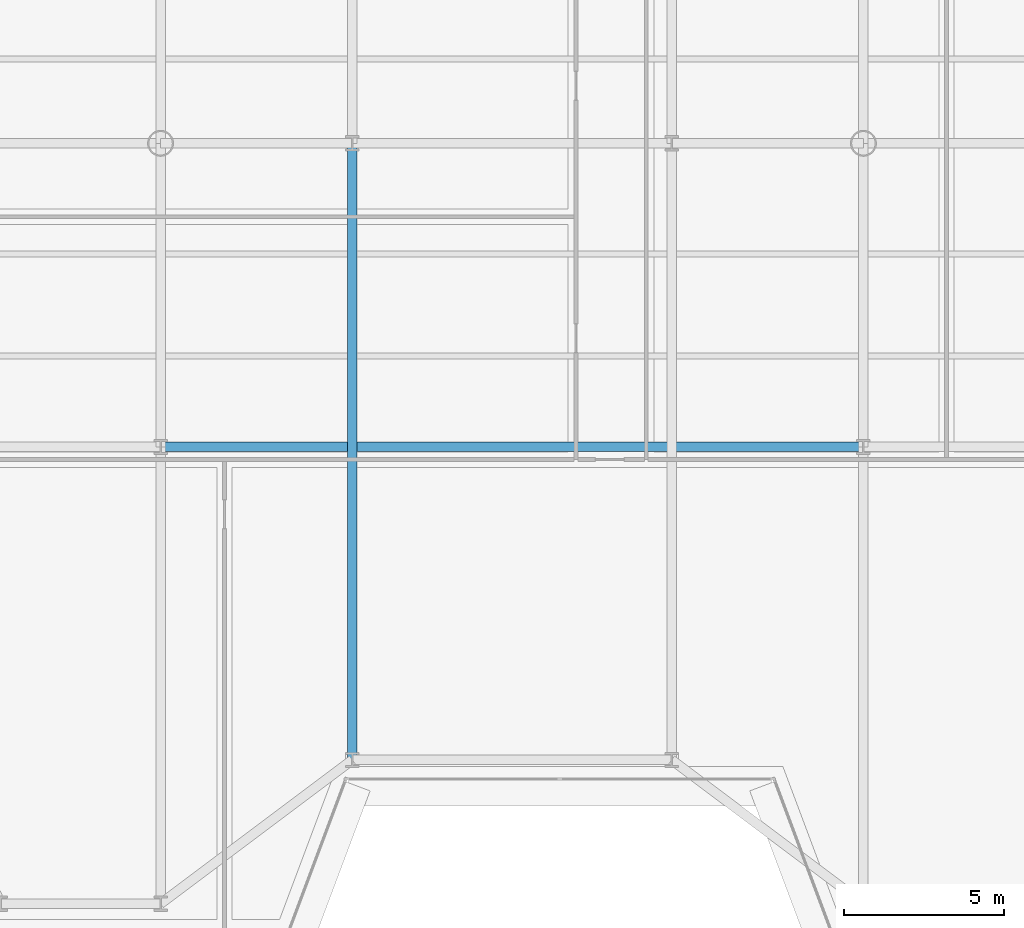
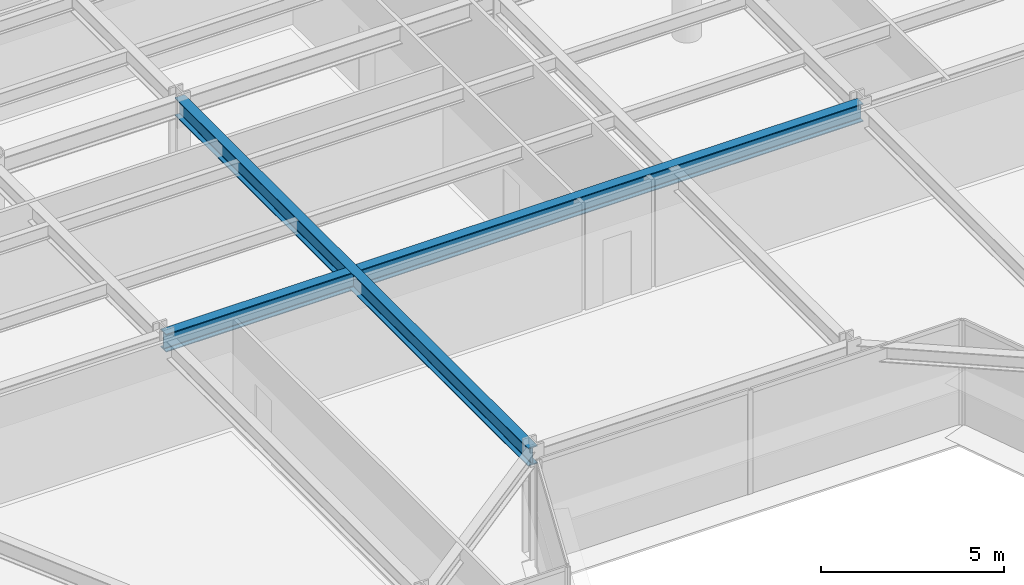
# One storey, part 3 of 17: 2 beams.
"""IFC4 building model written with IfcOpenShell, lengths in metres."""

from ifc_helpers import new_model, si_unit, direction, frame, origin, origin_2d, place, context, subcontext, project, spatial, i_section, extrude, source, transform, mapped, material, material_profile, profile_set, type_object, element, save


model = new_model("IFC4")

# Units and contexts
model_context = context("Model", 3, precision=1e-05, world=origin(), true_north=direction((0.0, 1.0)))
body_context = subcontext(model_context, "Body", "Model", "MODEL_VIEW")
ifc_project = project(units=[si_unit("LENGTHUNIT", "METRE"), si_unit("AREAUNIT", "SQUARE_METRE"), si_unit("VOLUMEUNIT", "CUBIC_METRE"), si_unit("PLANEANGLEUNIT", "RADIAN"), si_unit("MASSUNIT", "GRAM", prefix="KILO")], contexts=[model_context])

# Site, building, storey
site_placement = place(None, origin())
site = spatial("IfcSite", under=ifc_project, at=site_placement, CompositionType="ELEMENT")
building_placement = place(site_placement, origin())
building = spatial("IfcBuilding", under=site, at=building_placement, Name="Vaeldorn Concourse Tower", CompositionType="ELEMENT")
storey_placement = place(building_placement, frame((0.0, 0.0, 165.199951171875)))
storey = spatial("IfcBuildingStorey", under=building, at=storey_placement, Name="L42", CompositionType="ELEMENT", Elevation=165.199951171875)

# Beams
ifc_material = material(Name="Steel S355", Category="steel")
ifc_material_profile = material_profile(ifc_material, i_section(OverallWidth=0.300048828125, OverallDepth=0.60009765625, WebThickness=0.015380859375, FlangeThickness=0.030029296875, FilletRadius=0.027099609375, at=origin_2d()), Name="HEB 600")
ifc_profile_set = profile_set([ifc_material_profile], Name="Steel S355")
beam_type = type_object("IfcBeamType", Name="BM-PG-HEB600", PredefinedType="BEAM", material=ifc_profile_set)
shared_shape_1 = source(origin(), body_context, "Body", "SweptSolid", [
    extrude(i_section(OverallWidth=0.300048828125, OverallDepth=0.60009765625, WebThickness=0.015380859375, FlangeThickness=0.030029296875, FilletRadius=0.027099609375, at=origin_2d()), origin(), (0.0, 0.0, 1.0), 22.0),
])
beam_1_placement = place(storey_placement, frame((23.0, 18.0, 3.280029296875), z_axis=(1.0, 0.0, 0.0), x_axis=(0.0, 1.0, 0.0)))
element("IfcBeam", 1, at=beam_1_placement, inside=storey, type_object=beam_type, Name="Beam BM-L42-C-TW5-C-TW6", PredefinedType="BEAM", context=body_context, shape_type="MappedRepresentation", body=[
    mapped(shared_shape_1, transform((0.0, 0.0, 0.0), scale=1.0)),
])
shared_shape_2 = source(origin(), body_context, "Body", "SweptSolid", [
    extrude(i_section(OverallWidth=0.300048828125, OverallDepth=0.60009765625, WebThickness=0.015380859375, FlangeThickness=0.030029296875, FilletRadius=0.027099609375, at=origin_2d()), origin(), (0.0, 0.0, 1.0), 19.300048828125),
])
beam_2_placement = place(storey_placement, frame((29.0, 8.199951171875, 3.280029296875), z_axis=(0.0, 1.0, 0.0), x_axis=(-1.0, 0.0, 0.0)))
element("IfcBeam", 2, at=beam_2_placement, inside=storey, type_object=beam_type, Name="Beam BM-L42-C-SF3-C-TW2", PredefinedType="BEAM", context=body_context, shape_type="MappedRepresentation", body=[
    mapped(shared_shape_2, transform((0.0, 0.0, 0.0), scale=1.0)),
])

save(model, "model.ifc")
